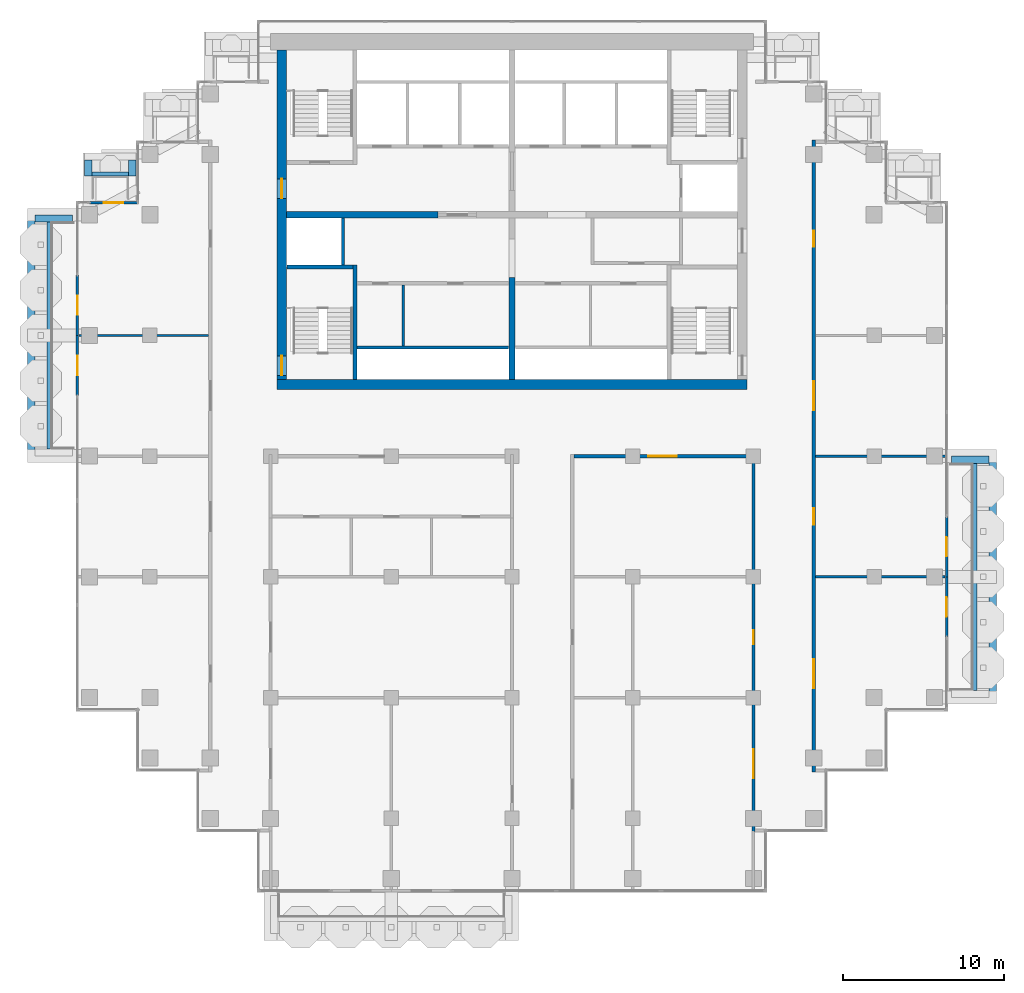
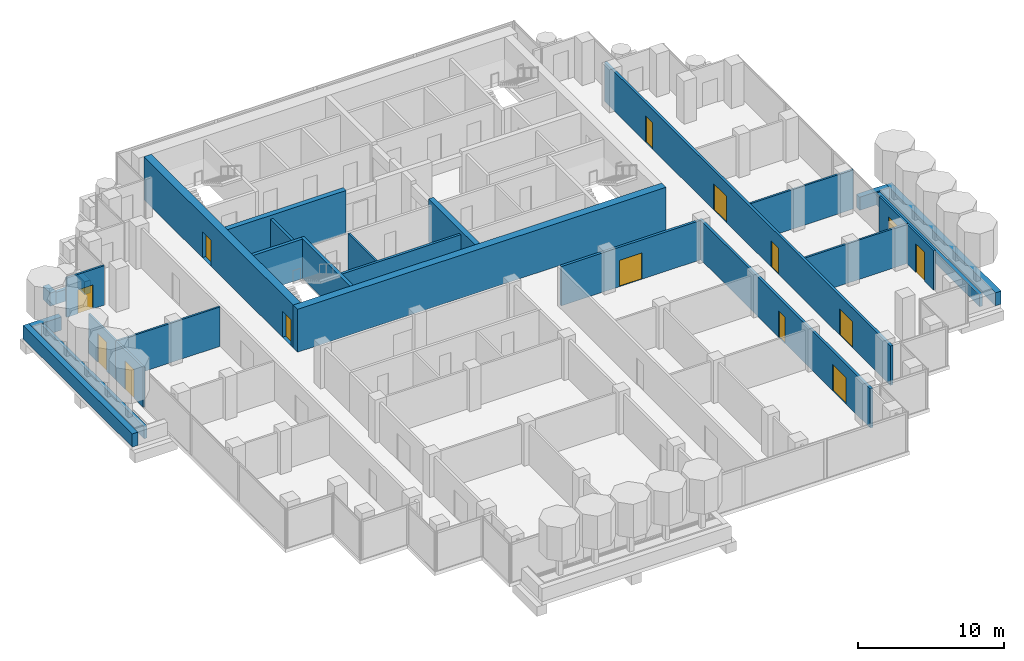
# One storey, part 12 of 18: 29 walls, 14 doors, 14 openings.
"""IFC4 building model written with IfcOpenShell, lengths in metres."""

from ifc_helpers import new_model, si_unit, direction, frame, frame_2d, origin, place, context, subcontext, project, spatial, rectangle, extrude, material, layer, layer_set, type_object, element, fill, save


model = new_model("IFC4")

# Units and contexts
model_context = context("Model", 3, precision=1e-05, world=origin(), true_north=direction((0.0, 1.0)))
body_context = subcontext(model_context, "Body", "Model", "MODEL_VIEW")
ifc_project = project(units=[si_unit("LENGTHUNIT", "METRE"), si_unit("AREAUNIT", "SQUARE_METRE"), si_unit("VOLUMEUNIT", "CUBIC_METRE"), si_unit("PLANEANGLEUNIT", "RADIAN"), si_unit("MASSUNIT", "GRAM", prefix="KILO")], contexts=[model_context])

# Site, building, storey
site_placement = place(None, origin())
site = spatial("IfcSite", under=ifc_project, at=site_placement, CompositionType="ELEMENT")
building_placement = place(site_placement, origin())
building = spatial("IfcBuilding", under=site, at=building_placement, Name="Pilkhan Gate Tower", CompositionType="ELEMENT")
storey_placement = place(building_placement, frame((0.0, 0.0, 192.300048828125)))
storey = spatial("IfcBuildingStorey", under=building, at=storey_placement, Name="L49", CompositionType="ELEMENT", Elevation=192.300048828125)

# Walls
ifc_material_1 = material(Name="Concrete C40/50", Category="concrete")
ifc_layer_1 = layer(ifc_material_1, 0.25)
ifc_layer_set_1 = layer_set([ifc_layer_1], Name="Balcony planter BP250")
wall_type_1 = type_object("IfcWallType", Name="Balcony planter BP250", PredefinedType="USERDEFINED", material=ifc_layer_set_1)
wall_1_placement = place(storey_placement, frame((103.77490234375, 52.949951171875, 0.0), z_axis=(0.0, 0.0, 1.0), x_axis=(0.0, 1.0, 0.0)))
element("IfcWall", 1, at=wall_1_placement, inside=storey, type_object=wall_type_1, Name="Balcony planter L49 E", ObjectType="BALCONY PLANTER", PredefinedType="USERDEFINED", context=body_context, shape_type="SweptSolid", body=[
    extrude(rectangle(XDim=14.10009765625, YDim=0.25, at=frame_2d((7.050048828125, 0.0))), origin(), (0.0, 0.0, 1.0), 1.0),
])
wall_2_placement = place(storey_placement, frame((48.89990234375, 85.02490234375, 0.0), z_axis=(0.0, 0.0, 1.0), x_axis=(1.0, 0.0, 0.0)))
element("IfcWall", 2, at=wall_2_placement, inside=storey, type_object=wall_type_1, Name="Balcony planter L49 N", ObjectType="BALCONY PLANTER", PredefinedType="USERDEFINED", context=body_context, shape_type="SweptSolid", body=[
    extrude(rectangle(XDim=2.280029296875, YDim=0.25, at=frame_2d((1.14013671875, 0.0))), origin(), (0.0, 0.0, 1.0), 1.0),
])
wall_3_placement = place(storey_placement, frame((46.22509765625, 67.949951171875, 0.0), z_axis=(0.0, 0.0, 1.0), x_axis=(0.0, 1.0, 0.0)))
element("IfcWall", 3, at=wall_3_placement, inside=storey, type_object=wall_type_1, Name="Balcony planter L49 W", ObjectType="BALCONY PLANTER", PredefinedType="USERDEFINED", context=body_context, shape_type="SweptSolid", body=[
    extrude(rectangle(XDim=14.10009765625, YDim=0.25, at=frame_2d((7.050048828125, 0.0))), origin(), (0.0, 0.0, 1.0), 1.0),
])
ifc_material_2 = material(Name="Board-marked Concrete C40/50", Category="concrete")
ifc_layer_2 = layer(ifc_material_2, 0.449951171875)
ifc_layer_set_2 = layer_set([ifc_layer_2], Name="Balcony planter lip BL450")
wall_type_2 = type_object("IfcWallType", Name="Balcony planter lip BL450", PredefinedType="USERDEFINED", material=ifc_layer_set_2)
wall_4_placement = place(storey_placement, frame((104.875, 52.5, 0.0), z_axis=(0.0, 0.0, 1.0), x_axis=(0.0, 1.0, 0.0)))
element("IfcWall", 4, at=wall_4_placement, inside=storey, type_object=wall_type_2, Name="Balcony planter L49 E", ObjectType="BALCONY PLANTER", PredefinedType="USERDEFINED", context=body_context, shape_type="SweptSolid", body=[
    extrude(rectangle(XDim=15.0, YDim=0.449951171875, at=frame_2d((7.5, 0.0))), origin(), (0.0, 0.0, 1.0), 1.099853515625),
])
wall_5_placement = place(storey_placement, frame((102.300048828125, 67.27490234375, 0.0), z_axis=(0.0, 0.0, 1.0), x_axis=(1.0, 0.0, 0.0)))
element("IfcWall", 5, at=wall_5_placement, inside=storey, type_object=wall_type_2, Name="Balcony planter L49 E", ObjectType="BALCONY PLANTER", PredefinedType="USERDEFINED", context=body_context, shape_type="SweptSolid", body=[
    extrude(rectangle(XDim=2.349853515625, YDim=0.449951171875, at=frame_2d((1.1748046875, 0.0))), origin(), (0.0, 0.0, 1.0), 1.099853515625),
])
for number, where, z_axis, x_axis, name in (
    (6, (48.675048828125, 84.89990234375, 0.0), (0.0, 0.0, 1.0), (0.0, 1.0, 0.0), "Balcony planter L49 N"),
    (7, (51.405029296875, 84.89990234375, 0.0), (0.0, 0.0, 1.0), (0.0, 1.0, 0.0), "Balcony planter L49 N"),
):
    element("IfcWall", number, at=place(storey_placement, frame(where, z_axis=z_axis, x_axis=x_axis)), inside=storey, type_object=wall_type_2, Name=name, ObjectType="BALCONY PLANTER", PredefinedType="USERDEFINED", context=body_context, shape_type="SweptSolid", body=[
        extrude(rectangle(XDim=1.0, YDim=0.449951171875, at=frame_2d((0.5, 0.0))), origin(), (0.0, 0.0, 1.0), 1.099853515625),
    ])
wall_6_placement = place(storey_placement, frame((45.125, 67.5, 0.0), z_axis=(0.0, 0.0, 1.0), x_axis=(0.0, 1.0, 0.0)))
element("IfcWall", 8, at=wall_6_placement, inside=storey, type_object=wall_type_2, Name="Balcony planter L49 W", ObjectType="BALCONY PLANTER", PredefinedType="USERDEFINED", context=body_context, shape_type="SweptSolid", body=[
    extrude(rectangle(XDim=15.0, YDim=0.449951171875, at=frame_2d((7.5, 0.0))), origin(), (0.0, 0.0, 1.0), 1.099853515625),
])
wall_7_placement = place(storey_placement, frame((47.699951171875, 82.27490234375, 0.0), z_axis=(0.0, 0.0, 1.0), x_axis=(-1.0, 0.0, 0.0)))
element("IfcWall", 9, at=wall_7_placement, inside=storey, type_object=wall_type_2, Name="Balcony planter L49 W", ObjectType="BALCONY PLANTER", PredefinedType="USERDEFINED", context=body_context, shape_type="SweptSolid", body=[
    extrude(rectangle(XDim=2.349853515625, YDim=0.449951171875, at=frame_2d((1.1748046875, 0.0))), origin(), (0.0, 0.0, 1.0), 1.099853515625),
])
ifc_material_3 = material(Name="Concrete C50/60", Category="concrete")
ifc_layer_3 = layer(ifc_material_3, 0.60009765625)
ifc_layer_set_3 = layer_set([ifc_layer_3], Name="Core wall CW600 C50/60")
wall_type_3 = type_object("IfcWallType", Name="Core wall CW600 C50/60", PredefinedType="SHEAR", material=ifc_layer_set_3)
wall_8_placement = place(storey_placement, frame((60.39990234375, 71.949951171875, 0.0), z_axis=(0.0, 0.0, 1.0), x_axis=(1.0, 0.0, 0.0)))
element("IfcWall", 10, at=wall_8_placement, inside=storey, type_object=wall_type_3, Name="Core wall S L49", PredefinedType="SHEAR", context=body_context, shape_type="SweptSolid", body=[
    extrude(rectangle(XDim=29.2001953125, YDim=0.60009765625, at=frame_2d((14.60009765625, 0.0))), origin(), (0.0, 0.0, 1.0), 3.599853515625),
])

# Wall, openings, doors
wall_9_placement = place(storey_placement, frame((60.699951171875, 92.75, 0.0), z_axis=(0.0, 0.0, 1.0), x_axis=(0.0, -1.0, 0.0)))
wall_9 = element("IfcWall", 11, at=wall_9_placement, inside=storey, type_object=wall_type_3, Name="Core wall W L49", PredefinedType="SHEAR", context=body_context, shape_type="SweptSolid", body=[
    extrude(rectangle(XDim=20.5, YDim=0.60009765625, at=frame_2d((10.25, 0.0))), origin(), (0.0, 0.0, 1.0), 3.599853515625),
])
opening_1_placement = place(wall_9_placement, frame((19.02490234375, 0.0, 0.0)))
opening_1 = element("IfcOpeningElement", 12, at=opening_1_placement, cuts=wall_9, Name="Opening L49-04", PredefinedType="OPENING", context=body_context, shape_type="SweptSolid", body=[
    extrude(rectangle(XDim=1.199951171875, YDim=2.199951171875, at=frame_2d((0.60009765625, 1.10009765625))), frame((0.0, 0.31005859375, 0.0), z_axis=(0.0, -1.0, 0.0), x_axis=(1.0, 0.0, 0.0)), (0.0, 0.0, 1.0), 0.6201171875),
])
opening_2_placement = place(wall_9_placement, frame((8.02490234375, 0.0, 0.0)))
opening_2 = element("IfcOpeningElement", 13, at=opening_2_placement, cuts=wall_9, Name="Opening L49-08", PredefinedType="OPENING", context=body_context, shape_type="SweptSolid", body=[
    extrude(rectangle(XDim=1.199951171875, YDim=2.199951171875, at=frame_2d((0.60009765625, 1.10009765625))), frame((0.0, 0.31005859375, 0.0), z_axis=(0.0, -1.0, 0.0), x_axis=(1.0, 0.0, 0.0)), (0.0, 0.0, 1.0), 0.6201171875),
])
ifc_material_4 = material(Name="Steel door, 120 minute fire resisting, self-closing", Category="steel")
door_type_1 = type_object("IfcDoorType", Name="Firefighting lobby door D10 1200x2200", OperationType="SINGLE_SWING_LEFT", PredefinedType="DOOR", material=ifc_material_4)
door_1_placement = place(opening_2_placement, origin())
door_1 = element("IfcDoor", 14, at=door_1_placement, inside=storey, type_object=door_type_1, Name="Core door", OperationType="SINGLE_SWING_RIGHT", OverallHeight=2.199951171875, OverallWidth=1.199951171875, PredefinedType="DOOR", context=body_context, shape_type="SweptSolid", body=[
    extrude(rectangle(XDim=1.199951171875, YDim=2.199951171875, at=frame_2d((0.60009765625, 1.10009765625))), frame((0.0, 0.02490234375, 0.0), z_axis=(0.0, -1.0, 0.0), x_axis=(1.0, 0.0, 0.0)), (0.0, 0.0, 1.0), 0.050048828125),
])
fill(opening_2, door_1)
ifc_material_5 = material(Name="Steel door, 120 minute fire resisting, panic bar", Category="steel")
door_type_2 = type_object("IfcDoorType", Name="Stair door D11 1200x2200", OperationType="SINGLE_SWING_LEFT", PredefinedType="DOOR", material=ifc_material_5)
door_2_placement = place(opening_1_placement, origin())
door_2 = element("IfcDoor", 15, at=door_2_placement, inside=storey, type_object=door_type_2, Name="Stair ST2 door", OperationType="SINGLE_SWING_LEFT", OverallHeight=2.199951171875, OverallWidth=1.199951171875, PredefinedType="DOOR", context=body_context, shape_type="SweptSolid", body=[
    extrude(rectangle(XDim=1.199951171875, YDim=2.199951171875, at=frame_2d((0.60009765625, 1.10009765625))), frame((0.0, 0.02490234375, 0.0), z_axis=(0.0, -1.0, 0.0), x_axis=(1.0, 0.0, 0.0)), (0.0, 0.0, 1.0), 0.050048828125),
])
fill(opening_1, door_2)

# Wall, opening, door
ifc_material_6 = material(Name="Dense blockwork", Category="masonry")
ifc_layer_4 = layer(ifc_material_6, 0.199951171875)
ifc_layer_set_4 = layer_set([ifc_layer_4], Name="Corridor wall FW200")
wall_type_4 = type_object("IfcWallType", Name="Corridor wall FW200", PredefinedType="PARTITIONING", material=ifc_layer_set_4)
wall_10_placement = place(storey_placement, frame((78.85009765625, 67.5, 0.0), z_axis=(0.0, 0.0, 1.0), x_axis=(1.0, 0.0, 0.0)))
wall_10 = element("IfcWall", 16, at=wall_10_placement, inside=storey, type_object=wall_type_4, Name="Partition L49", PredefinedType="PARTITIONING", context=body_context, shape_type="SweptSolid", body=[
    extrude(rectangle(XDim=11.0498046875, YDim=0.199951171875, at=frame_2d((5.52490234375, 0.0))), origin(), (0.0, 0.0, 1.0), 3.300048828125),
])
opening_3_placement = place(wall_10_placement, frame((4.60009765625, 0.0, 0.0)))
opening_3 = element("IfcOpeningElement", 17, at=opening_3_placement, cuts=wall_10, Name="Opening L49-24", PredefinedType="OPENING", context=body_context, shape_type="SweptSolid", body=[
    extrude(rectangle(XDim=1.800048828125, YDim=2.199951171875, at=frame_2d((0.89990234375, 1.10009765625))), frame((0.0, 0.10986328125, 0.0), z_axis=(0.0, -1.0, 0.0), x_axis=(1.0, 0.0, 0.0)), (0.0, 0.0, 1.0), 0.219970703125),
])
ifc_material_7 = material(Name="Timber glazed double door, 30 minute fire resisting", Category="wood")
door_type_3 = type_object("IfcDoorType", Name="Double door D04 1800x2200", OperationType="DOUBLE_DOOR_SINGLE_SWING", PredefinedType="DOOR", material=ifc_material_7)
door_3_placement = place(opening_3_placement, origin())
door_3 = element("IfcDoor", 18, at=door_3_placement, inside=storey, type_object=door_type_3, Name="Double door", OperationType="DOUBLE_DOOR_SINGLE_SWING", OverallHeight=2.199951171875, OverallWidth=1.800048828125, PredefinedType="DOOR", context=body_context, shape_type="SweptSolid", body=[
    extrude(rectangle(XDim=1.800048828125, YDim=2.199951171875, at=frame_2d((0.89990234375, 1.10009765625))), frame((0.0, 0.02490234375, 0.0), z_axis=(0.0, -1.0, 0.0), x_axis=(1.0, 0.0, 0.0)), (0.0, 0.0, 1.0), 0.050048828125),
])
fill(opening_3, door_3)

# Wall, openings, doors
wall_11_placement = place(storey_placement, frame((90.0, 44.135009765625, 0.0), z_axis=(0.0, 0.0, 1.0), x_axis=(0.0, 1.0, 0.0)))
wall_11 = element("IfcWall", 19, at=wall_11_placement, inside=storey, type_object=wall_type_4, Name="Partition L49", PredefinedType="PARTITIONING", context=body_context, shape_type="SweptSolid", body=[
    extrude(rectangle(XDim=23.465087890625, YDim=0.199951171875, at=frame_2d((11.732421875, 0.0))), origin(), (0.0, 0.0, 1.0), 3.300048828125),
])
opening_4_placement = place(wall_11_placement, frame((3.35009765625, 0.0, 0.0)))
opening_4 = element("IfcOpeningElement", 20, at=opening_4_placement, cuts=wall_11, Name="Opening L49-21", PredefinedType="OPENING", context=body_context, shape_type="SweptSolid", body=[
    extrude(rectangle(XDim=1.800048828125, YDim=2.199951171875, at=frame_2d((0.89990234375, 1.10009765625))), frame((0.0, 0.10986328125, 0.0), z_axis=(0.0, -1.0, 0.0), x_axis=(1.0, 0.0, 0.0)), (0.0, 0.0, 1.0), 0.219970703125),
])
opening_5_placement = place(wall_11_placement, frame((11.6650390625, 0.0, 0.0)))
opening_5 = element("IfcOpeningElement", 21, at=opening_5_placement, cuts=wall_11, Name="Opening L49-23", PredefinedType="OPENING", context=body_context, shape_type="SweptSolid", body=[
    extrude(rectangle(XDim=0.89990234375, YDim=2.199951171875, at=frame_2d((0.449951171875, 1.10009765625))), frame((0.0, 0.10986328125, 0.0), z_axis=(0.0, -1.0, 0.0), x_axis=(1.0, 0.0, 0.0)), (0.0, 0.0, 1.0), 0.219970703125),
])
door_4_placement = place(opening_4_placement, origin())
door_4 = element("IfcDoor", 22, at=door_4_placement, inside=storey, type_object=door_type_3, Name="Double door", OperationType="DOUBLE_DOOR_SINGLE_SWING", OverallHeight=2.199951171875, OverallWidth=1.800048828125, PredefinedType="DOOR", context=body_context, shape_type="SweptSolid", body=[
    extrude(rectangle(XDim=1.800048828125, YDim=2.199951171875, at=frame_2d((0.89990234375, 1.10009765625))), frame((0.0, 0.02490234375, 0.0), z_axis=(0.0, -1.0, 0.0), x_axis=(1.0, 0.0, 0.0)), (0.0, 0.0, 1.0), 0.050048828125),
])
fill(opening_4, door_4)
ifc_material_8 = material(Name="Timber flush door, 60 minute fire resisting, self-closing", Category="wood")
door_type_4 = type_object("IfcDoorType", Name="Store door D05 900x2200", OperationType="SINGLE_SWING_LEFT", PredefinedType="DOOR", material=ifc_material_8)
door_5_placement = place(opening_5_placement, origin())
door_5 = element("IfcDoor", 23, at=door_5_placement, inside=storey, type_object=door_type_4, Name="Store door", OperationType="SINGLE_SWING_LEFT", OverallHeight=2.199951171875, OverallWidth=0.89990234375, PredefinedType="DOOR", context=body_context, shape_type="SweptSolid", body=[
    extrude(rectangle(XDim=0.89990234375, YDim=2.199951171875, at=frame_2d((0.449951171875, 1.10009765625))), frame((0.0, 0.02490234375, 0.0), z_axis=(0.0, -1.0, 0.0), x_axis=(1.0, 0.0, 0.0)), (0.0, 0.0, 1.0), 0.050048828125),
])
fill(opening_5, door_5)

wall_12_placement = place(storey_placement, frame((93.75, 47.8701171875, 0.0), z_axis=(0.0, 0.0, 1.0), x_axis=(0.0, 1.0, 0.0)))
wall_12 = element("IfcWall", 24, at=wall_12_placement, inside=storey, type_object=wall_type_4, Name="Partition L49", PredefinedType="PARTITIONING", context=body_context, shape_type="SweptSolid", body=[
    extrude(rectangle(XDim=39.259765625, YDim=0.199951171875, at=frame_2d((19.6298828125, 0.0))), origin(), (0.0, 0.0, 1.0), 3.300048828125),
])
opening_6_placement = place(wall_12_placement, frame((5.199951171875, 0.0, 0.0)))
opening_6 = element("IfcOpeningElement", 25, at=opening_6_placement, cuts=wall_12, Name="Opening L49-28", PredefinedType="OPENING", context=body_context, shape_type="SweptSolid", body=[
    extrude(rectangle(XDim=1.800048828125, YDim=2.199951171875, at=frame_2d((0.89990234375, 1.10009765625))), frame((0.0, 0.10986328125, 0.0), z_axis=(0.0, -1.0, 0.0), x_axis=(1.0, 0.0, 0.0)), (0.0, 0.0, 1.0), 0.219970703125),
])
opening_7_placement = place(wall_12_placement, frame((15.3798828125, 0.0, 0.0)))
opening_7 = element("IfcOpeningElement", 26, at=opening_7_placement, cuts=wall_12, Name="Opening L49-29", PredefinedType="OPENING", context=body_context, shape_type="SweptSolid", body=[
    extrude(rectangle(XDim=1.0, YDim=2.199951171875, at=frame_2d((0.5, 1.10009765625))), frame((0.0, 0.10986328125, 0.0), z_axis=(0.0, -1.0, 0.0), x_axis=(1.0, 0.0, 0.0)), (0.0, 0.0, 1.0), 0.219970703125),
])
opening_8_placement = place(wall_12_placement, frame((22.47998046875, 0.0, 0.0)))
opening_8 = element("IfcOpeningElement", 27, at=opening_8_placement, cuts=wall_12, Name="Opening L49-30", PredefinedType="OPENING", context=body_context, shape_type="SweptSolid", body=[
    extrude(rectangle(XDim=1.800048828125, YDim=2.199951171875, at=frame_2d((0.89990234375, 1.10009765625))), frame((0.0, 0.10986328125, 0.0), z_axis=(0.0, -1.0, 0.0), x_axis=(1.0, 0.0, 0.0)), (0.0, 0.0, 1.0), 0.219970703125),
])
opening_9_placement = place(wall_12_placement, frame((32.6298828125, 0.0, 0.0)))
opening_9 = element("IfcOpeningElement", 28, at=opening_9_placement, cuts=wall_12, Name="Opening L49-32", PredefinedType="OPENING", context=body_context, shape_type="SweptSolid", body=[
    extrude(rectangle(XDim=1.0, YDim=2.199951171875, at=frame_2d((0.5, 1.10009765625))), frame((0.0, 0.10986328125, 0.0), z_axis=(0.0, -1.0, 0.0), x_axis=(1.0, 0.0, 0.0)), (0.0, 0.0, 1.0), 0.219970703125),
])
door_6_placement = place(opening_6_placement, origin())
door_6 = element("IfcDoor", 29, at=door_6_placement, inside=storey, type_object=door_type_3, Name="Double door", OperationType="DOUBLE_DOOR_SINGLE_SWING", OverallHeight=2.199951171875, OverallWidth=1.800048828125, PredefinedType="DOOR", context=body_context, shape_type="SweptSolid", body=[
    extrude(rectangle(XDim=1.800048828125, YDim=2.199951171875, at=frame_2d((0.89990234375, 1.10009765625))), frame((0.0, 0.02490234375, 0.0), z_axis=(0.0, -1.0, 0.0), x_axis=(1.0, 0.0, 0.0)), (0.0, 0.0, 1.0), 0.050048828125),
])
fill(opening_6, door_6)
door_7_placement = place(opening_8_placement, origin())
door_7 = element("IfcDoor", 30, at=door_7_placement, inside=storey, type_object=door_type_3, Name="Double door", OperationType="DOUBLE_DOOR_SINGLE_SWING", OverallHeight=2.199951171875, OverallWidth=1.800048828125, PredefinedType="DOOR", context=body_context, shape_type="SweptSolid", body=[
    extrude(rectangle(XDim=1.800048828125, YDim=2.199951171875, at=frame_2d((0.89990234375, 1.10009765625))), frame((0.0, 0.02490234375, 0.0), z_axis=(0.0, -1.0, 0.0), x_axis=(1.0, 0.0, 0.0)), (0.0, 0.0, 1.0), 0.050048828125),
])
fill(opening_8, door_7)
ifc_material_9 = material(Name="Timber flush door, 30 minute fire resisting", Category="wood")
door_type_5 = type_object("IfcDoorType", Name="Room door D03 1000x2200", OperationType="SINGLE_SWING_LEFT", PredefinedType="DOOR", material=ifc_material_9)
door_8_placement = place(opening_7_placement, origin())
door_8 = element("IfcDoor", 31, at=door_8_placement, inside=storey, type_object=door_type_5, Name="Room door", OperationType="SINGLE_SWING_RIGHT", OverallHeight=2.199951171875, OverallWidth=1.0, PredefinedType="DOOR", context=body_context, shape_type="SweptSolid", body=[
    extrude(rectangle(XDim=1.0, YDim=2.199951171875, at=frame_2d((0.5, 1.10009765625))), frame((0.0, 0.02490234375, 0.0), z_axis=(0.0, -1.0, 0.0), x_axis=(1.0, 0.0, 0.0)), (0.0, 0.0, 1.0), 0.050048828125),
])
fill(opening_7, door_8)
door_9_placement = place(opening_9_placement, origin())
door_9 = element("IfcDoor", 32, at=door_9_placement, inside=storey, type_object=door_type_5, Name="Room door", OperationType="SINGLE_SWING_LEFT", OverallHeight=2.199951171875, OverallWidth=1.0, PredefinedType="DOOR", context=body_context, shape_type="SweptSolid", body=[
    extrude(rectangle(XDim=1.0, YDim=2.199951171875, at=frame_2d((0.5, 1.10009765625))), frame((0.0, 0.02490234375, 0.0), z_axis=(0.0, -1.0, 0.0), x_axis=(1.0, 0.0, 0.0)), (0.0, 0.0, 1.0), 0.050048828125),
])
fill(opening_9, door_9)

# Wall, opening, door
ifc_material_10 = material(Name="Pale anodised aluminium, clear laminated glazing", Category="aluminium")
ifc_layer_5 = layer(ifc_material_10, 0.14990234375)
ifc_layer_set_5 = layer_set([ifc_layer_5], Name="Facade infill wall IW150")
wall_type_5 = type_object("IfcWallType", Name="Facade infill wall IW150", PredefinedType="SOLIDWALL", material=ifc_layer_set_5)
wall_13_placement = place(storey_placement, frame((102.0, 56.25, 0.0), z_axis=(0.0, 0.0, 1.0), x_axis=(0.0, 1.0, 0.0)))
wall_13 = element("IfcWall", 33, at=wall_13_placement, inside=storey, type_object=wall_type_5, Name="Infill wall L49 E", PredefinedType="SOLIDWALL", context=body_context, shape_type="SweptSolid", body=[
    extrude(rectangle(XDim=3.75, YDim=0.14990234375, at=frame_2d((1.875, 0.0))), origin(), (0.0, 0.0, 1.0), 3.300048828125),
])
opening_10_placement = place(wall_13_placement, frame((1.27490234375, 0.0, 0.0)))
opening_10 = element("IfcOpeningElement", 34, at=opening_10_placement, cuts=wall_13, Name="Opening D1", PredefinedType="OPENING", context=body_context, shape_type="SweptSolid", body=[
    extrude(rectangle(XDim=1.199951171875, YDim=2.39990234375, at=frame_2d((0.60009765625, 1.199951171875))), frame((0.0, 0.0849609375, 0.0), z_axis=(0.0, -1.0, 0.0), x_axis=(1.0, 0.0, 0.0)), (0.0, 0.0, 1.0), 0.169921875),
])
ifc_material_11 = material(Name="Pale anodised aluminium, clear glazing", Category="aluminium")
door_type_6 = type_object("IfcDoorType", Name="Balcony door D1 1200x2400", OperationType="SINGLE_SWING_LEFT", PredefinedType="DOOR", material=ifc_material_11)
door_10_placement = place(opening_10_placement, origin())
door_10 = element("IfcDoor", 35, at=door_10_placement, inside=storey, type_object=door_type_6, Name="Balcony door L49", OperationType="SINGLE_SWING_LEFT", OverallHeight=2.39990234375, OverallWidth=1.199951171875, PredefinedType="DOOR", context=body_context, shape_type="SweptSolid", body=[
    extrude(rectangle(XDim=1.199951171875, YDim=2.39990234375, at=frame_2d((0.60009765625, 1.199951171875))), frame((0.0, 0.02490234375, 0.0), z_axis=(0.0, -1.0, 0.0), x_axis=(1.0, 0.0, 0.0)), (0.0, 0.0, 1.0), 0.050048828125),
])
fill(opening_10, door_10)

wall_14_placement = place(storey_placement, frame((102.0, 60.0, 0.0), z_axis=(0.0, 0.0, 1.0), x_axis=(0.0, 1.0, 0.0)))
wall_14 = element("IfcWall", 36, at=wall_14_placement, inside=storey, type_object=wall_type_5, Name="Infill wall L49 E", PredefinedType="SOLIDWALL", context=body_context, shape_type="SweptSolid", body=[
    extrude(rectangle(XDim=3.75, YDim=0.14990234375, at=frame_2d((1.875, 0.0))), origin(), (0.0, 0.0, 1.0), 3.300048828125),
])
opening_11_placement = place(wall_14_placement, frame((1.27490234375, 0.0, 0.0)))
opening_11 = element("IfcOpeningElement", 37, at=opening_11_placement, cuts=wall_14, Name="Opening D1", PredefinedType="OPENING", context=body_context, shape_type="SweptSolid", body=[
    extrude(rectangle(XDim=1.199951171875, YDim=2.39990234375, at=frame_2d((0.60009765625, 1.199951171875))), frame((0.0, 0.0849609375, 0.0), z_axis=(0.0, -1.0, 0.0), x_axis=(1.0, 0.0, 0.0)), (0.0, 0.0, 1.0), 0.169921875),
])
door_11_placement = place(opening_11_placement, origin())
door_11 = element("IfcDoor", 38, at=door_11_placement, inside=storey, type_object=door_type_6, Name="Balcony door L49", OperationType="SINGLE_SWING_LEFT", OverallHeight=2.39990234375, OverallWidth=1.199951171875, PredefinedType="DOOR", context=body_context, shape_type="SweptSolid", body=[
    extrude(rectangle(XDim=1.199951171875, YDim=2.39990234375, at=frame_2d((0.60009765625, 1.199951171875))), frame((0.0, 0.02490234375, 0.0), z_axis=(0.0, -1.0, 0.0), x_axis=(1.0, 0.0, 0.0)), (0.0, 0.0, 1.0), 0.050048828125),
])
fill(opening_11, door_11)

wall_15_placement = place(storey_placement, frame((48.75, 83.25, 0.0), z_axis=(0.0, 0.0, 1.0), x_axis=(1.0, 0.0, 0.0)))
wall_15 = element("IfcWall", 39, at=wall_15_placement, inside=storey, type_object=wall_type_5, Name="Infill wall L49 N", PredefinedType="SOLIDWALL", context=body_context, shape_type="SweptSolid", body=[
    extrude(rectangle(XDim=3.0, YDim=0.14990234375, at=frame_2d((1.5, 0.0))), origin(), (0.0, 0.0, 1.0), 3.300048828125),
])
opening_12_placement = place(wall_15_placement, frame((0.89990234375, 0.0, 0.0)))
opening_12 = element("IfcOpeningElement", 40, at=opening_12_placement, cuts=wall_15, Name="Opening D1L", PredefinedType="OPENING", context=body_context, shape_type="SweptSolid", body=[
    extrude(rectangle(XDim=1.199951171875, YDim=2.0, at=frame_2d((0.60009765625, 1.0))), frame((0.0, 0.0849609375, 0.0), z_axis=(0.0, -1.0, 0.0), x_axis=(1.0, 0.0, 0.0)), (0.0, 0.0, 1.0), 0.169921875),
])
door_type_7 = type_object("IfcDoorType", Name="Balcony door D1L 1200x2000", OperationType="SINGLE_SWING_LEFT", PredefinedType="DOOR", material=ifc_material_11)
door_12_placement = place(opening_12_placement, origin())
door_12 = element("IfcDoor", 41, at=door_12_placement, inside=storey, type_object=door_type_7, Name="Balcony door L49", OperationType="SINGLE_SWING_LEFT", OverallHeight=2.0, OverallWidth=1.199951171875, PredefinedType="DOOR", context=body_context, shape_type="SweptSolid", body=[
    extrude(rectangle(XDim=1.199951171875, YDim=2.0, at=frame_2d((0.60009765625, 1.0))), frame((0.0, 0.02490234375, 0.0), z_axis=(0.0, -1.0, 0.0), x_axis=(1.0, 0.0, 0.0)), (0.0, 0.0, 1.0), 0.050048828125),
])
fill(opening_12, door_12)

wall_16_placement = place(storey_placement, frame((48.0, 71.25, 0.0), z_axis=(0.0, 0.0, 1.0), x_axis=(0.0, 1.0, 0.0)))
wall_16 = element("IfcWall", 42, at=wall_16_placement, inside=storey, type_object=wall_type_5, Name="Infill wall L49 W", PredefinedType="SOLIDWALL", context=body_context, shape_type="SweptSolid", body=[
    extrude(rectangle(XDim=3.75, YDim=0.14990234375, at=frame_2d((1.875, 0.0))), origin(), (0.0, 0.0, 1.0), 3.300048828125),
])
opening_13_placement = place(wall_16_placement, frame((1.27490234375, 0.0, 0.0)))
opening_13 = element("IfcOpeningElement", 43, at=opening_13_placement, cuts=wall_16, Name="Opening D1", PredefinedType="OPENING", context=body_context, shape_type="SweptSolid", body=[
    extrude(rectangle(XDim=1.199951171875, YDim=2.39990234375, at=frame_2d((0.60009765625, 1.199951171875))), frame((0.0, 0.0849609375, 0.0), z_axis=(0.0, -1.0, 0.0), x_axis=(1.0, 0.0, 0.0)), (0.0, 0.0, 1.0), 0.169921875),
])
door_13_placement = place(opening_13_placement, origin())
door_13 = element("IfcDoor", 44, at=door_13_placement, inside=storey, type_object=door_type_6, Name="Balcony door L49", OperationType="SINGLE_SWING_LEFT", OverallHeight=2.39990234375, OverallWidth=1.199951171875, PredefinedType="DOOR", context=body_context, shape_type="SweptSolid", body=[
    extrude(rectangle(XDim=1.199951171875, YDim=2.39990234375, at=frame_2d((0.60009765625, 1.199951171875))), frame((0.0, 0.02490234375, 0.0), z_axis=(0.0, -1.0, 0.0), x_axis=(1.0, 0.0, 0.0)), (0.0, 0.0, 1.0), 0.050048828125),
])
fill(opening_13, door_13)

wall_17_placement = place(storey_placement, frame((48.0, 75.0, 0.0), z_axis=(0.0, 0.0, 1.0), x_axis=(0.0, 1.0, 0.0)))
wall_17 = element("IfcWall", 45, at=wall_17_placement, inside=storey, type_object=wall_type_5, Name="Infill wall L49 W", PredefinedType="SOLIDWALL", context=body_context, shape_type="SweptSolid", body=[
    extrude(rectangle(XDim=3.75, YDim=0.14990234375, at=frame_2d((1.875, 0.0))), origin(), (0.0, 0.0, 1.0), 3.300048828125),
])
opening_14_placement = place(wall_17_placement, frame((1.27490234375, 0.0, 0.0)))
opening_14 = element("IfcOpeningElement", 46, at=opening_14_placement, cuts=wall_17, Name="Opening D1", PredefinedType="OPENING", context=body_context, shape_type="SweptSolid", body=[
    extrude(rectangle(XDim=1.199951171875, YDim=2.39990234375, at=frame_2d((0.60009765625, 1.199951171875))), frame((0.0, 0.0849609375, 0.0), z_axis=(0.0, -1.0, 0.0), x_axis=(1.0, 0.0, 0.0)), (0.0, 0.0, 1.0), 0.169921875),
])
door_14_placement = place(opening_14_placement, origin())
door_14 = element("IfcDoor", 47, at=door_14_placement, inside=storey, type_object=door_type_6, Name="Balcony door L49", OperationType="SINGLE_SWING_LEFT", OverallHeight=2.39990234375, OverallWidth=1.199951171875, PredefinedType="DOOR", context=body_context, shape_type="SweptSolid", body=[
    extrude(rectangle(XDim=1.199951171875, YDim=2.39990234375, at=frame_2d((0.60009765625, 1.199951171875))), frame((0.0, 0.02490234375, 0.0), z_axis=(0.0, -1.0, 0.0), x_axis=(1.0, 0.0, 0.0)), (0.0, 0.0, 1.0), 0.050048828125),
])
fill(opening_14, door_14)

# Walls
ifc_layer_6 = layer(ifc_material_6, 0.199951171875)
ifc_layer_set_6 = layer_set([ifc_layer_6], Name="Lobby wall LW200")
wall_type_6 = type_object("IfcWallType", Name="Lobby wall LW200", PredefinedType="PARTITIONING", material=ifc_layer_set_6)
wall_18_placement = place(storey_placement, frame((65.375, 74.25, 0.0), z_axis=(0.0, 0.0, 1.0), x_axis=(1.0, 0.0, 0.0)))
element("IfcWall", 48, at=wall_18_placement, inside=storey, type_object=wall_type_6, Name="Partition L49", PredefinedType="PARTITIONING", context=body_context, shape_type="SweptSolid", body=[
    extrude(rectangle(XDim=9.4150390625, YDim=0.199951171875, at=frame_2d((4.70751953125, 0.0))), origin(), (0.0, 0.0, 1.0), 3.300048828125),
])
ifc_material_12 = material(Name="Blockwork partition, plastered both sides", Category="masonry")
ifc_layer_7 = layer(ifc_material_12, 0.14990234375)
ifc_layer_set_7 = layer_set([ifc_layer_7], Name="Partition PW150")
wall_type_7 = type_object("IfcWallType", Name="Partition PW150", PredefinedType="PARTITIONING", material=ifc_layer_set_7)
wall_19_placement = place(storey_placement, frame((93.85009765625, 60.0, 0.0), z_axis=(0.0, 0.0, 1.0), x_axis=(1.0, 0.0, 0.0)))
element("IfcWall", 49, at=wall_19_placement, inside=storey, type_object=wall_type_7, Name="Partition L49", PredefinedType="PARTITIONING", context=body_context, shape_type="SweptSolid", body=[
    extrude(rectangle(XDim=8.06494140625, YDim=0.14990234375, at=frame_2d((4.032470703125, 0.0))), origin(), (0.0, 0.0, 1.0), 3.300048828125),
])
wall_20_placement = place(storey_placement, frame((93.85009765625, 67.5, 0.0), z_axis=(0.0, 0.0, 1.0), x_axis=(1.0, 0.0, 0.0)))
element("IfcWall", 50, at=wall_20_placement, inside=storey, type_object=wall_type_7, Name="Partition L49", PredefinedType="PARTITIONING", context=body_context, shape_type="SweptSolid", body=[
    extrude(rectangle(XDim=8.164794921875, YDim=0.14990234375, at=frame_2d((4.08251953125, 0.0))), origin(), (0.0, 0.0, 1.0), 3.300048828125),
])
wall_21_placement = place(storey_placement, frame((48.0849609375, 75.0, 0.0), z_axis=(0.0, 0.0, 1.0), x_axis=(1.0, 0.0, 0.0)))
element("IfcWall", 51, at=wall_21_placement, inside=storey, type_object=wall_type_7, Name="Partition L49", PredefinedType="PARTITIONING", context=body_context, shape_type="SweptSolid", body=[
    extrude(rectangle(XDim=8.06494140625, YDim=0.14990234375, at=frame_2d((4.032470703125, 0.0))), origin(), (0.0, 0.0, 1.0), 3.300048828125),
])
wall_22_placement = place(storey_placement, frame((68.239990234375, 74.35009765625, 0.0), z_axis=(0.0, 0.0, 1.0), x_axis=(0.0, 1.0, 0.0)))
element("IfcWall", 52, at=wall_22_placement, inside=storey, type_object=wall_type_7, Name="Partition L49", PredefinedType="PARTITIONING", context=body_context, shape_type="SweptSolid", body=[
    extrude(rectangle(XDim=3.7998046875, YDim=0.14990234375, at=frame_2d((1.89990234375, 0.0))), origin(), (0.0, 0.0, 1.0), 3.300048828125),
])
ifc_material_13 = material(Name="Reinforced blockwork shaft wall, 120 minute fire resisting", Category="masonry")
ifc_layer_8 = layer(ifc_material_13, 0.199951171875)
ifc_layer_set_8 = layer_set([ifc_layer_8], Name="Shaft wall SW200")
wall_type_8 = type_object("IfcWallType", Name="Shaft wall SW200", PredefinedType="PARTITIONING", material=ifc_layer_set_8)
wall_23_placement = place(storey_placement, frame((64.5, 79.375, 0.0), z_axis=(0.0, 0.0, 1.0), x_axis=(0.0, 1.0, 0.0)))
element("IfcWall", 53, at=wall_23_placement, inside=storey, type_object=wall_type_8, Name="Partition L49", PredefinedType="PARTITIONING", context=body_context, shape_type="SweptSolid", body=[
    extrude(rectangle(XDim=2.9150390625, YDim=0.199951171875, at=frame_2d((1.45751953125, 0.0))), origin(), (0.0, 0.0, 1.0), 3.300048828125),
])
ifc_layer_9 = layer(ifc_material_3, 0.39990234375)
ifc_layer_set_9 = layer_set([ifc_layer_9], Name="Spine wall SW400 C50/60")
wall_type_9 = type_object("IfcWallType", Name="Spine wall SW400 C50/60", PredefinedType="SHEAR", material=ifc_layer_set_9)
wall_24_placement = place(storey_placement, frame((61.0, 82.5, 0.0), z_axis=(0.0, 0.0, 1.0), x_axis=(1.0, 0.0, 0.0)))
element("IfcWall", 54, at=wall_24_placement, inside=storey, type_object=wall_type_9, Name="Spine wall SP-EW1 L49", PredefinedType="SHEAR", context=body_context, shape_type="SweptSolid", body=[
    extrude(rectangle(XDim=9.39990234375, YDim=0.39990234375, at=frame_2d((4.699951171875, 0.0))), origin(), (0.0, 0.0, 1.0), 3.599853515625),
])
wall_25_placement = place(storey_placement, frame((75.0, 72.25, 0.0), z_axis=(0.0, 0.0, 1.0), x_axis=(0.0, 1.0, 0.0)))
element("IfcWall", 55, at=wall_25_placement, inside=storey, type_object=wall_type_9, Name="Spine wall SP-NS-S1 L49", PredefinedType="SHEAR", context=body_context, shape_type="SweptSolid", body=[
    extrude(rectangle(XDim=6.35009765625, YDim=0.39990234375, at=frame_2d((3.175048828125, 0.0))), origin(), (0.0, 0.0, 1.0), 3.599853515625),
])
ifc_material_14 = material(Name="Reinforced blockwork, 120 minute fire resisting", Category="masonry")
ifc_layer_10 = layer(ifc_material_14, 0.25)
ifc_layer_set_10 = layer_set([ifc_layer_10], Name="Stair enclosure wall SE250")
wall_type_10 = type_object("IfcWallType", Name="Stair enclosure wall SE250", PredefinedType="PARTITIONING", material=ifc_layer_set_10)
wall_26_placement = place(storey_placement, frame((61.010009765625, 79.25, 0.0), z_axis=(0.0, 0.0, 1.0), x_axis=(1.0, 0.0, 0.0)))
element("IfcWall", 56, at=wall_26_placement, inside=storey, type_object=wall_type_10, Name="Partition L49", PredefinedType="PARTITIONING", context=body_context, shape_type="SweptSolid", body=[
    extrude(rectangle(XDim=4.114990234375, YDim=0.25, at=frame_2d((2.0576171875, 0.0))), origin(), (0.0, 0.0, 1.0), 3.300048828125),
])
wall_27_placement = place(storey_placement, frame((65.25, 72.260009765625, 0.0), z_axis=(0.0, 0.0, 1.0), x_axis=(0.0, 1.0, 0.0)))
element("IfcWall", 57, at=wall_27_placement, inside=storey, type_object=wall_type_10, Name="Partition L49", PredefinedType="PARTITIONING", context=body_context, shape_type="SweptSolid", body=[
    extrude(rectangle(XDim=7.114990234375, YDim=0.25, at=frame_2d((3.5576171875, 0.0))), origin(), (0.0, 0.0, 1.0), 3.300048828125),
])

save(model, "model.ifc")
